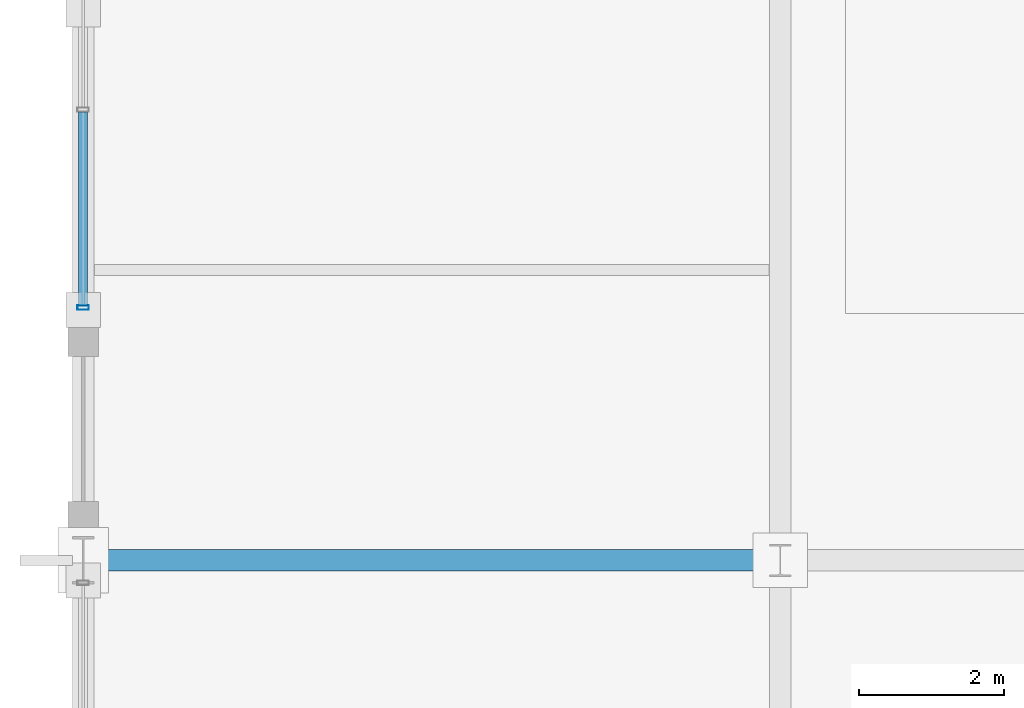
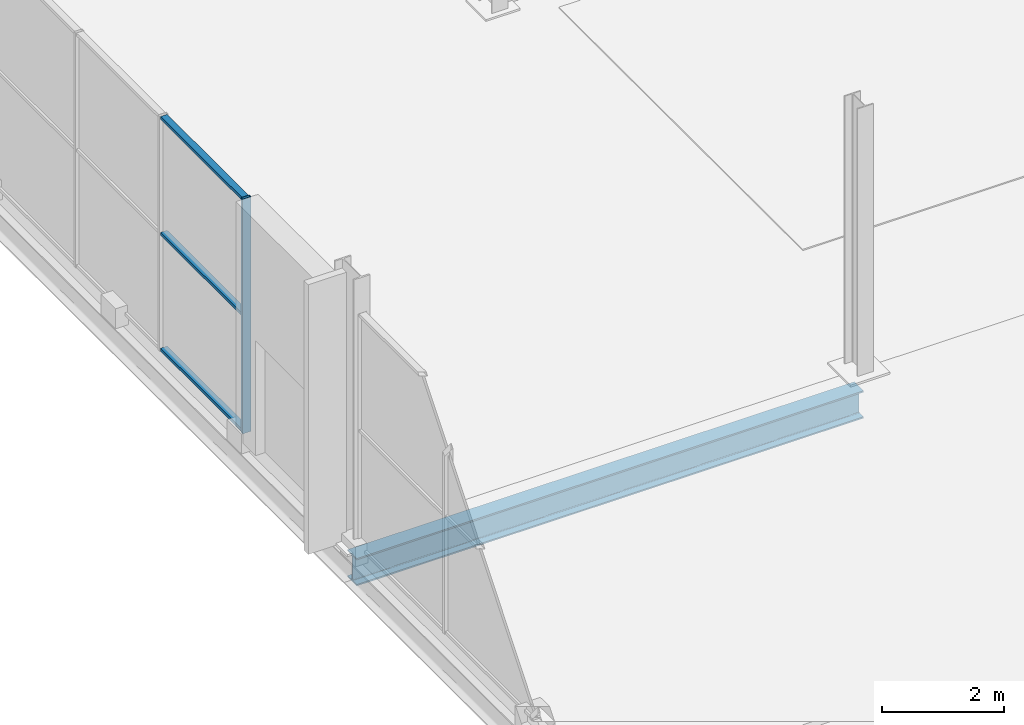
# One storey, part 88 of 196: 4 members, 1 beam, 1 element without a shape of its own.
"""IFC4 building model written with IfcOpenShell, lengths in metres."""

from ifc_helpers import new_model, si_unit, direction, frame, origin, origin_2d, place, context, subcontext, project, spatial, hollow_rectangle, i_section, extrude, material, material_profile, profile_set, type_object, element, aggregate, save


model = new_model("IFC4")

# Units and contexts
model_context = context("Model", 3, precision=1e-05, world=origin(), true_north=direction((0.0, 1.0)))
body_context = subcontext(model_context, "Body", "Model", "MODEL_VIEW")
ifc_project = project(units=[si_unit("LENGTHUNIT", "METRE"), si_unit("AREAUNIT", "SQUARE_METRE"), si_unit("VOLUMEUNIT", "CUBIC_METRE"), si_unit("PLANEANGLEUNIT", "RADIAN"), si_unit("MASSUNIT", "GRAM", prefix="KILO")], contexts=[model_context])

# Site, building, storey
site_placement = place(None, origin())
site = spatial("IfcSite", under=ifc_project, at=site_placement, CompositionType="ELEMENT")
building_placement = place(site_placement, origin())
building = spatial("IfcBuilding", under=site, at=building_placement, Name="Merenkruunu Market Hall", CompositionType="ELEMENT")
storey_placement = place(building_placement, origin())
storey = spatial("IfcBuildingStorey", under=building, at=storey_placement, Name="L00", CompositionType="ELEMENT", Elevation=0.0)

# Curtain wall, members
ifc_material_1 = material(Name="Powder-coated aluminium", Category="aluminium")
curtain_wall_type = type_object("IfcCurtainWallType", Name="Glazed Curtain Wall CW01", PredefinedType="USERDEFINED", material=ifc_material_1)
curtain_wall_placement = place(storey_placement, origin())
curtain_wall = element("IfcCurtainWall", 1, at=curtain_wall_placement, inside=storey, type_object=curtain_wall_type, Name="CW-L00-CWM01-013", ObjectType="GLAZED_FACADE", PredefinedType="USERDEFINED")
ifc_material_profile_1 = material_profile(ifc_material_1, hollow_rectangle(XDim=0.06005859375, YDim=0.159912109375, WallThickness=0.00390625, at=origin_2d()), Name="ALU 60x160x4")
ifc_profile_set_1 = profile_set([ifc_material_profile_1], Name="Powder-coated aluminium")
member_type_1 = type_object("IfcMemberType", Name="Curtain Wall Mullion CWM01", PredefinedType="MULLION", material=ifc_profile_set_1)
member_1_placement = place(storey_placement, frame((0.0, 67.080078125, 0.0), z_axis=(0.0, 0.0, 1.0), x_axis=(0.0, 1.0, 0.0)))
member_1 = element("IfcMember", 2, at=member_1_placement, type_object=member_type_1, Name="CW01 mullion 1", PredefinedType="MULLION", context=body_context, shape_type="SweptSolid", body=[
    extrude(hollow_rectangle(XDim=0.06005859375, YDim=0.159912109375, WallThickness=0.00390625, at=origin_2d()), origin(), (0.0, 0.0, 1.0), 4.699951171875),
])
ifc_material_profile_2 = material_profile(ifc_material_1, hollow_rectangle(XDim=0.06005859375, YDim=0.125, WallThickness=0.00390625, at=origin_2d()), Name="ALU 60x125x4")
ifc_profile_set_2 = profile_set([ifc_material_profile_2], Name="Powder-coated aluminium")
member_type_2 = type_object("IfcMemberType", Name="Curtain Wall Transom CWT01", PredefinedType="USERDEFINED", material=ifc_profile_set_2)
member_2_placement = place(storey_placement, frame((0.0, 67.110107421875, 0.030029296875), z_axis=(0.0, 1.0, 0.0), x_axis=(0.0, 0.0, 1.0)))
member_2 = element("IfcMember", 3, at=member_2_placement, type_object=member_type_2, Name="CW01 transom 1.1", ObjectType="TRANSOM", PredefinedType="USERDEFINED", context=body_context, shape_type="SweptSolid", body=[
    extrude(hollow_rectangle(XDim=0.06005859375, YDim=0.125, WallThickness=0.00390625, at=origin_2d()), origin(), (0.0, 0.0, 1.0), 2.66650390625),
])
member_3_placement = place(storey_placement, frame((0.0, 67.110107421875, 2.35009765625), z_axis=(0.0, 1.0, 0.0), x_axis=(0.0, 0.0, 1.0)))
member_3 = element("IfcMember", 4, at=member_3_placement, type_object=member_type_2, Name="CW01 transom 1.2", ObjectType="TRANSOM", PredefinedType="USERDEFINED", context=body_context, shape_type="SweptSolid", body=[
    extrude(hollow_rectangle(XDim=0.06005859375, YDim=0.125, WallThickness=0.00390625, at=origin_2d()), origin(), (0.0, 0.0, 1.0), 2.66650390625),
])
member_4_placement = place(storey_placement, frame((0.0, 67.110107421875, 4.669921875), z_axis=(0.0, 1.0, 0.0), x_axis=(0.0, 0.0, 1.0)))
member_4 = element("IfcMember", 5, at=member_4_placement, type_object=member_type_2, Name="CW01 transom 1.3", ObjectType="TRANSOM", PredefinedType="USERDEFINED", context=body_context, shape_type="SweptSolid", body=[
    extrude(hollow_rectangle(XDim=0.06005859375, YDim=0.125, WallThickness=0.00390625, at=origin_2d()), origin(), (0.0, 0.0, 1.0), 2.66650390625),
])
aggregate(curtain_wall, [member_1, member_2, member_3, member_4])

# Beam
ifc_material_2 = material(Name="Steel S355J2", Category="steel")
ifc_material_profile_3 = material_profile(ifc_material_2, i_section(OverallWidth=0.300048828125, OverallDepth=0.550048828125, WebThickness=0.014892578125, FlangeThickness=0.029052734375, FilletRadius=0.027099609375, at=origin_2d()), Name="HEB 550")
ifc_profile_set_3 = profile_set([ifc_material_profile_3], Name="Steel S355J2")
beam_type = type_object("IfcBeamType", Name="Primary Floor Girder B02", PredefinedType="BEAM", material=ifc_profile_set_3)
beam_placement = place(storey_placement, frame((0.0, 63.60009765625, -0.614990234375), z_axis=(1.0, 0.0, 0.0), x_axis=(0.0, 1.0, 0.0)))
element("IfcBeam", 6, at=beam_placement, inside=storey, type_object=beam_type, Name="BM-L00-B02-0087", PredefinedType="BEAM", context=body_context, shape_type="SweptSolid", body=[
    extrude(i_section(OverallWidth=0.300048828125, OverallDepth=0.550048828125, WebThickness=0.014892578125, FlangeThickness=0.029052734375, FilletRadius=0.027099609375, at=origin_2d()), origin(), (0.0, 0.0, 1.0), 9.60009765625),
])

save(model, "model.ifc")
